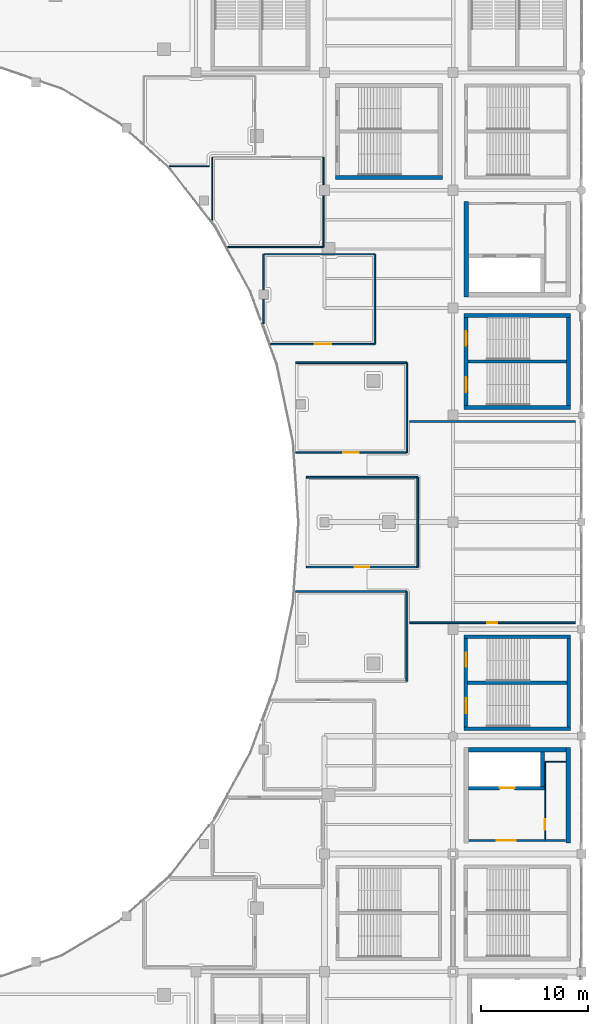
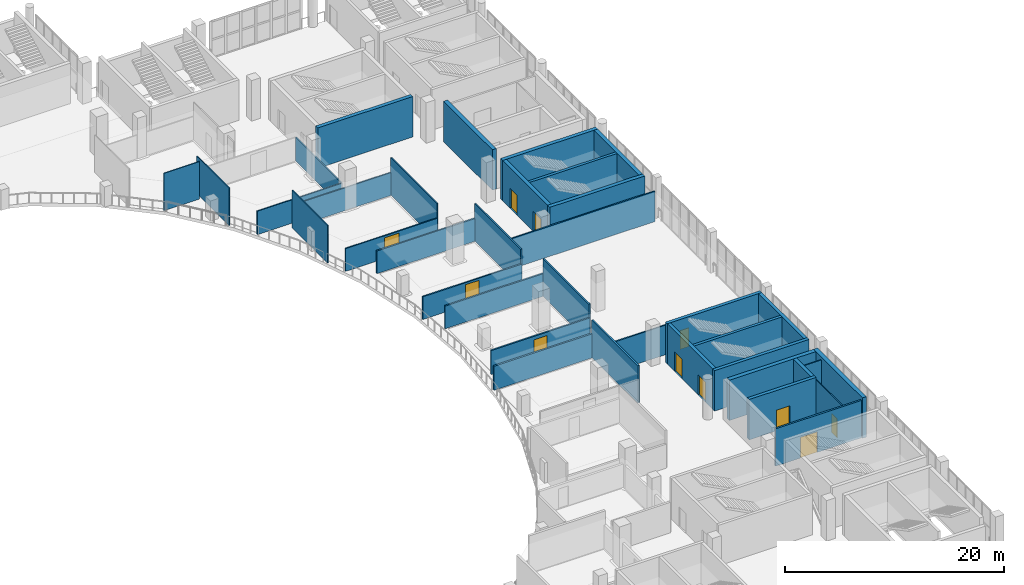
# One storey, part 67 of 90: 37 walls, 11 doors, 11 openings.
"""IFC4 building model written with IfcOpenShell, lengths in metres."""

from ifc_helpers import new_model, si_unit, direction, frame, frame_2d, origin, place, context, subcontext, project, spatial, rectangle, extrude, material, layer, layer_set, type_object, element, fill, save


model = new_model("IFC4")

# Units and contexts
model_context = context("Model", 3, precision=1e-05, world=origin(), true_north=direction((0.0, 1.0)))
body_context = subcontext(model_context, "Body", "Model", "MODEL_VIEW")
ifc_project = project(units=[si_unit("LENGTHUNIT", "METRE"), si_unit("AREAUNIT", "SQUARE_METRE"), si_unit("VOLUMEUNIT", "CUBIC_METRE"), si_unit("PLANEANGLEUNIT", "RADIAN"), si_unit("MASSUNIT", "GRAM", prefix="KILO")], contexts=[model_context])

# Site, building, storey
site_placement = place(None, origin())
site = spatial("IfcSite", under=ifc_project, at=site_placement, CompositionType="ELEMENT")
building_placement = place(site_placement, origin())
building = spatial("IfcBuilding", under=site, at=building_placement, Name="Brinegate Civic Arena", CompositionType="ELEMENT")
storey_placement = place(building_placement, frame((0.0, 0.0, 14.699951171875)))
storey = spatial("IfcBuildingStorey", under=building, at=storey_placement, Name="L03", CompositionType="ELEMENT", Elevation=14.699951171875)

# Walls
ifc_material_1 = material(Name="Concrete C50/60", Category="concrete")
ifc_layer_1 = layer(ifc_material_1, 0.35009765625, Name="Concrete C50/60")
ifc_layer_set_1 = layer_set([ifc_layer_1], Name="Concrete C50/60")
wall_type_1 = type_object("IfcWallType", Name="WALL-CORE-SHEAR-350", PredefinedType="SHEAR", material=ifc_layer_set_1)
for number, where, z_axis, x_axis, name in (
    (1, (157.02490234375, 42.699951171875, 0.0), (0.0, 0.0, 1.0), (1.0, 0.0, 0.0), "Stair ST-10 South Shear Wall L03 (WBD-69)"),
    (2, (157.02490234375, 51.300048828125, 0.0), (0.0, 0.0, 1.0), (1.0, 0.0, 0.0), "Stair ST-10 North Shear Wall L03 (WBD-70)"),
):
    element("IfcWall", number, at=place(storey_placement, frame(where, z_axis=z_axis, x_axis=x_axis)), inside=storey, type_object=wall_type_1, Name=name, PredefinedType="SHEAR", context=body_context, shape_type="SweptSolid", body=[
        extrude(rectangle(XDim=9.9501953125, YDim=0.35009765625, at=frame_2d((4.97509765625, 0.0))), origin(), (0.0, 0.0, 1.0), 4.5),
    ])

# Wall, openings, doors
wall_1_placement = place(storey_placement, frame((157.199951171875, 42.875, 0.0), z_axis=(0.0, 0.0, 1.0), x_axis=(0.0, 1.0, 0.0)))
wall_1 = element("IfcWall", 3, at=wall_1_placement, inside=storey, type_object=wall_type_1, Name="Stair ST-10 West Shear Wall L03 (WBD-71)", PredefinedType="SHEAR", context=body_context, shape_type="SweptSolid", body=[
    extrude(rectangle(XDim=8.25, YDim=0.35009765625, at=frame_2d((4.125, 0.0))), origin(), (0.0, 0.0, 1.0), 4.5),
])
opening_1_placement = place(wall_1_placement, frame((1.27490234375, 0.0, 0.0)))
opening_1 = element("IfcOpeningElement", 4, at=opening_1_placement, cuts=wall_1, Name="Opening D-ST10A-L03", PredefinedType="OPENING", context=body_context, shape_type="SweptSolid", body=[
    extrude(rectangle(XDim=1.39990234375, YDim=2.199951171875, at=frame_2d((0.699951171875, 1.10009765625))), frame((0.0, 0.18505859375, 0.0), z_axis=(0.0, -1.0, 0.0), x_axis=(1.0, 0.0, 0.0)), (0.0, 0.0, 1.0), 0.3701171875),
])
opening_2_placement = place(wall_1_placement, frame((5.614990234375, 0.0, 0.0)))
opening_2 = element("IfcOpeningElement", 5, at=opening_2_placement, cuts=wall_1, Name="Opening D-ST10B-L03", PredefinedType="OPENING", context=body_context, shape_type="SweptSolid", body=[
    extrude(rectangle(XDim=1.320068359375, YDim=2.199951171875, at=frame_2d((0.66015625, 1.10009765625))), frame((0.0, 0.18505859375, 0.0), z_axis=(0.0, -1.0, 0.0), x_axis=(1.0, 0.0, 0.0)), (0.0, 0.0, 1.0), 0.3701171875),
])
ifc_material_2 = material(Name="Galvanized hurricane steel", Category="steel")
door_type_1 = type_object("IfcDoorType", Name="DOOR-STAIR-2200X2200", OperationType="NOTDEFINED", PredefinedType="DOOR", material=ifc_material_2)
door_1_placement = place(opening_2_placement, origin())
door_1 = element("IfcDoor", 6, at=door_1_placement, inside=storey, type_object=door_type_1, Name="Protected Exit Stair Door D-ST10B-L03", OperationType="DOUBLE_DOOR_SINGLE_SWING", OverallHeight=2.199951171875, OverallWidth=1.320068359375, PredefinedType="DOOR", context=body_context, shape_type="SweptSolid", body=[
    extrude(rectangle(XDim=1.320068359375, YDim=2.199951171875, at=frame_2d((0.66015625, 1.10009765625))), frame((0.0, 0.02490234375, 0.0), z_axis=(0.0, -1.0, 0.0), x_axis=(1.0, 0.0, 0.0)), (0.0, 0.0, 1.0), 0.050048828125),
])
fill(opening_2, door_1)
door_type_2 = type_object("IfcDoorType", Name="DOOR-STAIR-2400X2200", OperationType="NOTDEFINED", PredefinedType="DOOR", material=ifc_material_2)
door_2_placement = place(opening_1_placement, origin())
door_2 = element("IfcDoor", 7, at=door_2_placement, inside=storey, type_object=door_type_2, Name="Protected Exit Stair Door D-ST10A-L03", OperationType="DOUBLE_DOOR_SINGLE_SWING", OverallHeight=2.199951171875, OverallWidth=1.39990234375, PredefinedType="DOOR", context=body_context, shape_type="SweptSolid", body=[
    extrude(rectangle(XDim=1.39990234375, YDim=2.199951171875, at=frame_2d((0.699951171875, 1.10009765625))), frame((0.0, 0.02490234375, 0.0), z_axis=(0.0, -1.0, 0.0), x_axis=(1.0, 0.0, 0.0)), (0.0, 0.0, 1.0), 0.050048828125),
])
fill(opening_1, door_2)

# Wall
wall_2_placement = place(storey_placement, frame((166.800048828125, 42.875, 0.0), z_axis=(0.0, 0.0, 1.0), x_axis=(0.0, 1.0, 0.0)))
element("IfcWall", 8, at=wall_2_placement, inside=storey, type_object=wall_type_1, Name="Stair ST-10 East Shear Wall L03 (WBD-72)", PredefinedType="SHEAR", context=body_context, shape_type="SweptSolid", body=[
    extrude(rectangle(XDim=8.25, YDim=0.35009765625, at=frame_2d((4.125, 0.0))), origin(), (0.0, 0.0, 1.0), 4.5),
])

# Wall, opening, door
wall_3_placement = place(storey_placement, frame((157.4599609375, 37.14990234375, 0.0), z_axis=(0.0, 0.0, 1.0), x_axis=(1.0, 0.0, 0.0)))
wall_3 = element("IfcWall", 9, at=wall_3_placement, inside=storey, type_object=wall_type_1, Name="Core K6 Lift Shaft Front Wall L03 (WBI-08)", PredefinedType="SHEAR", context=body_context, shape_type="SweptSolid", body=[
    extrude(rectangle(XDim=7.06494140625, YDim=0.35009765625, at=frame_2d((3.532470703125, 0.0))), origin(), (0.0, 0.0, 1.0), 4.5),
])
opening_3_placement = place(wall_3_placement, frame((2.889892578125, 0.0, 0.0)))
opening_3 = element("IfcOpeningElement", 10, at=opening_3_placement, cuts=wall_3, Name="Opening LD-GL2-L03", PredefinedType="OPENING", context=body_context, shape_type="SweptSolid", body=[
    extrude(rectangle(XDim=1.39990234375, YDim=2.300048828125, at=frame_2d((0.699951171875, 1.14990234375))), frame((0.0, 0.18505859375, 0.0), z_axis=(0.0, -1.0, 0.0), x_axis=(1.0, 0.0, 0.0)), (0.0, 0.0, 1.0), 0.3701171875),
])
ifc_material_3 = material(Name="Architectural stainless steel balustrade", Category="steel")
door_type_3 = type_object("IfcDoorType", Name="DOOR-LIFT-1400X2300", OperationType="SLIDING_TO_LEFT", PredefinedType="DOOR", material=ifc_material_3)
door_3_placement = place(opening_3_placement, origin())
door_3 = element("IfcDoor", 11, at=door_3_placement, inside=storey, type_object=door_type_3, Name="Sliding Lift Landing Door LD-GL2-L03", OperationType="SLIDING_TO_LEFT", OverallHeight=2.300048828125, OverallWidth=1.39990234375, PredefinedType="DOOR", context=body_context, shape_type="SweptSolid", body=[
    extrude(rectangle(XDim=1.39990234375, YDim=2.300048828125, at=frame_2d((0.699951171875, 1.14990234375))), frame((0.0, 0.02490234375, 0.0), z_axis=(0.0, -1.0, 0.0), x_axis=(1.0, 0.0, 0.0)), (0.0, 0.0, 1.0), 0.050048828125),
])
fill(opening_3, door_3)

# Walls
wall_4_placement = place(storey_placement, frame((164.35009765625, 37.324951171875, 0.0), z_axis=(0.0, 0.0, 1.0), x_axis=(0.0, 1.0, 0.0)))
element("IfcWall", 12, at=wall_4_placement, inside=storey, type_object=wall_type_1, Name="Core K6 Lift Shaft End Wall L03 (WBI-09)", PredefinedType="SHEAR", context=body_context, shape_type="SweptSolid", body=[
    extrude(rectangle(XDim=3.215087890625, YDim=0.35009765625, at=frame_2d((1.607421875, 0.0))), origin(), (0.0, 0.0, 1.0), 4.5),
])
ifc_layer_2 = layer(ifc_material_1, 0.389892578125, Name="Concrete C50/60")
ifc_layer_set_2 = layer_set([ifc_layer_2], Name="Concrete C50/60")
wall_type_2 = type_object("IfcWallType", Name="WALL-CORE-SHEAR-390", PredefinedType="SHEAR", material=ifc_layer_set_2)
for number, where, z_axis, x_axis, name in (
    (13, (157.0048828125, 72.699951171875, 0.0), (0.0, 0.0, 1.0), (1.0, 0.0, 0.0), "Stair ST-09 South Shear Wall L03 (WBD-44)"),
    (14, (157.0048828125, 81.300048828125, 0.0), (0.0, 0.0, 1.0), (1.0, 0.0, 0.0), "Stair ST-09 North Shear Wall L03 (WBD-45)"),
):
    element("IfcWall", number, at=place(storey_placement, frame(where, z_axis=z_axis, x_axis=x_axis)), inside=storey, type_object=wall_type_2, Name=name, PredefinedType="SHEAR", context=body_context, shape_type="SweptSolid", body=[
        extrude(rectangle(XDim=9.990234375, YDim=0.389892578125, at=frame_2d((4.9951171875, 0.0))), origin(), (0.0, 0.0, 1.0), 4.5),
    ])

# Wall, openings, doors
wall_5_placement = place(storey_placement, frame((157.199951171875, 72.89501953125, 0.0), z_axis=(0.0, 0.0, 1.0), x_axis=(0.0, 1.0, 0.0)))
wall_5 = element("IfcWall", 15, at=wall_5_placement, inside=storey, type_object=wall_type_2, Name="Stair ST-09 West Shear Wall L03 (WBD-46)", PredefinedType="SHEAR", context=body_context, shape_type="SweptSolid", body=[
    extrude(rectangle(XDim=8.2099609375, YDim=0.389892578125, at=frame_2d((4.10498046875, 0.0))), origin(), (0.0, 0.0, 1.0), 4.5),
])
opening_4_placement = place(wall_5_placement, frame((1.2548828125, 0.0, 0.0)))
opening_4 = element("IfcOpeningElement", 16, at=opening_4_placement, cuts=wall_5, Name="Opening D-ST09A-L03", PredefinedType="OPENING", context=body_context, shape_type="SweptSolid", body=[
    extrude(rectangle(XDim=1.39990234375, YDim=2.199951171875, at=frame_2d((0.699951171875, 1.10009765625))), frame((0.0, 0.204833984375, 0.0), z_axis=(0.0, -1.0, 0.0), x_axis=(1.0, 0.0, 0.0)), (0.0, 0.0, 1.0), 0.409912109375),
])
opening_5_placement = place(wall_5_placement, frame((5.594970703125, 0.0, 0.0)))
opening_5 = element("IfcOpeningElement", 17, at=opening_5_placement, cuts=wall_5, Name="Opening D-ST09B-L03", PredefinedType="OPENING", context=body_context, shape_type="SweptSolid", body=[
    extrude(rectangle(XDim=1.320068359375, YDim=2.199951171875, at=frame_2d((0.66015625, 1.10009765625))), frame((0.0, 0.204833984375, 0.0), z_axis=(0.0, -1.0, 0.0), x_axis=(1.0, 0.0, 0.0)), (0.0, 0.0, 1.0), 0.409912109375),
])
door_4_placement = place(opening_5_placement, origin())
door_4 = element("IfcDoor", 18, at=door_4_placement, inside=storey, type_object=door_type_1, Name="Protected Exit Stair Door D-ST09B-L03", OperationType="DOUBLE_DOOR_SINGLE_SWING", OverallHeight=2.199951171875, OverallWidth=1.320068359375, PredefinedType="DOOR", context=body_context, shape_type="SweptSolid", body=[
    extrude(rectangle(XDim=1.320068359375, YDim=2.199951171875, at=frame_2d((0.66015625, 1.10009765625))), frame((0.0, 0.02490234375, 0.0), z_axis=(0.0, -1.0, 0.0), x_axis=(1.0, 0.0, 0.0)), (0.0, 0.0, 1.0), 0.050048828125),
])
fill(opening_5, door_4)
door_5_placement = place(opening_4_placement, origin())
door_5 = element("IfcDoor", 19, at=door_5_placement, inside=storey, type_object=door_type_2, Name="Protected Exit Stair Door D-ST09A-L03", OperationType="DOUBLE_DOOR_SINGLE_SWING", OverallHeight=2.199951171875, OverallWidth=1.39990234375, PredefinedType="DOOR", context=body_context, shape_type="SweptSolid", body=[
    extrude(rectangle(XDim=1.39990234375, YDim=2.199951171875, at=frame_2d((0.699951171875, 1.10009765625))), frame((0.0, 0.02490234375, 0.0), z_axis=(0.0, -1.0, 0.0), x_axis=(1.0, 0.0, 0.0)), (0.0, 0.0, 1.0), 0.050048828125),
])
fill(opening_4, door_5)

# Walls
wall_6_placement = place(storey_placement, frame((166.800048828125, 72.89501953125, 0.0), z_axis=(0.0, 0.0, 1.0), x_axis=(0.0, 1.0, 0.0)))
element("IfcWall", 20, at=wall_6_placement, inside=storey, type_object=wall_type_2, Name="Stair ST-09 East Shear Wall L03 (WBD-47)", PredefinedType="SHEAR", context=body_context, shape_type="SweptSolid", body=[
    extrude(rectangle(XDim=8.2099609375, YDim=0.389892578125, at=frame_2d((4.10498046875, 0.0))), origin(), (0.0, 0.0, 1.0), 4.5),
])
wall_7_placement = place(storey_placement, frame((145.0048828125, 94.199951171875, 0.0), z_axis=(0.0, 0.0, 1.0), x_axis=(1.0, 0.0, 0.0)))
element("IfcWall", 21, at=wall_7_placement, inside=storey, type_object=wall_type_2, Name="Stair ST-18 South Shear Wall L03 (WBL-16)", PredefinedType="SHEAR", context=body_context, shape_type="SweptSolid", body=[
    extrude(rectangle(XDim=9.990234375, YDim=0.389892578125, at=frame_2d((4.9951171875, 0.0))), origin(), (0.0, 0.0, 1.0), 4.5),
])
ifc_layer_3 = layer(ifc_material_1, 0.419921875, Name="Concrete C50/60")
ifc_layer_set_3 = layer_set([ifc_layer_3], Name="Concrete C50/60")
wall_type_3 = type_object("IfcWallType", Name="WALL-CORE-SHEAR-420", PredefinedType="SHEAR", material=ifc_layer_set_3)
for number, where, z_axis, x_axis, name in (
    (22, (157.25, 83.0400390625, 0.0), (0.0, 0.0, 1.0), (0.0, 1.0, 0.0), "Core K5 West Shear Wall L03 (WBH-64)"),
    (23, (166.75, 32.0400390625, 0.0), (0.0, 0.0, 1.0), (0.0, 1.0, 0.0), "Core K6 East Shear Wall L03 (WBI-06)"),
):
    element("IfcWall", number, at=place(storey_placement, frame(where, z_axis=z_axis, x_axis=x_axis)), inside=storey, type_object=wall_type_3, Name=name, PredefinedType="SHEAR", context=body_context, shape_type="SweptSolid", body=[
        extrude(rectangle(XDim=8.919921875, YDim=0.419921875, at=frame_2d((4.4599609375, 0.0))), origin(), (0.0, 0.0, 1.0), 4.5),
    ])
wall_8_placement = place(storey_placement, frame((157.4599609375, 40.75, 0.0), z_axis=(0.0, 0.0, 1.0), x_axis=(1.0, 0.0, 0.0)))
element("IfcWall", 24, at=wall_8_placement, inside=storey, type_object=wall_type_3, Name="Core K6 North Shear Wall L03 (WBI-07)", PredefinedType="SHEAR", context=body_context, shape_type="SweptSolid", body=[
    extrude(rectangle(XDim=9.080078125, YDim=0.419921875, at=frame_2d((4.5400390625, 0.0))), origin(), (0.0, 0.0, 1.0), 4.5),
])
ifc_material_4 = material(Name="Fire-rated gypsum partition assembly")
ifc_layer_4 = layer(ifc_material_4, 0.1298828125, Name="Fire-rated gypsum partition assembly")
ifc_layer_set_4 = layer_set([ifc_layer_4], Name="Fire-rated gypsum partition assembly")
wall_type_4 = type_object("IfcWallType", Name="WALL-PART-ACOUSTIC-130", PredefinedType="PARTITIONING", material=ifc_layer_set_4)
wall_9_placement = place(storey_placement, frame((148.701904296875, 87.02294921875, 0.0), z_axis=(0.0, 0.0, 1.0), x_axis=(0.0, -1.0, 0.0)))
element("IfcWall", 25, at=wall_9_placement, inside=storey, type_object=wall_type_4, Name="Hospitality Suite L03-07 Partition Wall E1 (WBJ-64)", PredefinedType="PARTITIONING", context=body_context, shape_type="SweptSolid", body=[
    extrude(rectangle(XDim=8.39990234375, YDim=0.1298828125, at=frame_2d((4.199951171875, 0.0))), origin(), (0.0, 0.0, 1.0), 4.16015625),
])

# Wall, opening, door
wall_10_placement = place(storey_placement, frame((148.701904296875, 78.623046875, 0.0), z_axis=(0.0, 0.0, 1.0), x_axis=(-1.0, 0.0, 0.0)))
wall_10 = element("IfcWall", 26, at=wall_10_placement, inside=storey, type_object=wall_type_4, Name="Hospitality Suite L03-07 Partition Wall E2 (WBJ-65)", PredefinedType="PARTITIONING", context=body_context, shape_type="SweptSolid", body=[
    extrude(rectangle(XDim=9.704833984375, YDim=0.1298828125, at=frame_2d((4.8525390625, 0.0))), origin(), (0.0, 0.0, 1.0), 2.530029296875),
])
opening_6_placement = place(wall_10_placement, frame((4.077880859375, 0.0, 0.0)))
opening_6 = element("IfcOpeningElement", 27, at=opening_6_placement, cuts=wall_10, Name="Opening D-L03-198", PredefinedType="OPENING", context=body_context, shape_type="SweptSolid", body=[
    extrude(rectangle(XDim=1.550048828125, YDim=2.300048828125, at=frame_2d((0.77490234375, 1.14990234375))), frame((0.0, 0.074951171875, 0.0), z_axis=(0.0, -1.0, 0.0), x_axis=(1.0, 0.0, 0.0)), (0.0, 0.0, 1.0), 0.14990234375),
])
ifc_material_5 = material(Name="Hardwood acoustic timber door", Category="wood")
door_type_4 = type_object("IfcDoorType", Name="DOOR-SUITE-1550X2300", OperationType="NOTDEFINED", PredefinedType="DOOR", material=ifc_material_5)
door_6_placement = place(opening_6_placement, origin())
door_6 = element("IfcDoor", 28, at=door_6_placement, inside=storey, type_object=door_type_4, Name="Hospitality Suite L03-07 Door D-L03-198", OperationType="DOUBLE_DOOR_SINGLE_SWING", OverallHeight=2.300048828125, OverallWidth=1.550048828125, PredefinedType="DOOR", context=body_context, shape_type="SweptSolid", body=[
    extrude(rectangle(XDim=1.550048828125, YDim=2.300048828125, at=frame_2d((0.77490234375, 1.14990234375))), frame((0.0, 0.02490234375, 0.0), z_axis=(0.0, -1.0, 0.0), x_axis=(1.0, 0.0, 0.0)), (0.0, 0.0, 1.0), 0.050048828125),
])
fill(opening_6, door_6)

# Walls
wall_11_placement = place(storey_placement, frame((138.302001953125, 80.534912109375, 0.0), z_axis=(0.0, 0.0, 1.0), x_axis=(0.0, 1.0, 0.0)))
element("IfcWall", 29, at=wall_11_placement, inside=storey, type_object=wall_type_4, Name="Hospitality Suite L03-07 Partition Wall E4 (WBJ-66)", PredefinedType="PARTITIONING", context=body_context, shape_type="SweptSolid", body=[
    extrude(rectangle(XDim=6.488037109375, YDim=0.1298828125, at=frame_2d((3.244140625, 0.0))), origin(), (0.0, 0.0, 1.0), 4.16015625),
])
wall_12_placement = place(storey_placement, frame((138.302001953125, 87.02294921875, 0.0), z_axis=(0.0, 0.0, 1.0), x_axis=(1.0, 0.0, 0.0)))
element("IfcWall", 30, at=wall_12_placement, inside=storey, type_object=wall_type_4, Name="Hospitality Suite L03-07 Partition Wall E5 (WBJ-67)", PredefinedType="PARTITIONING", context=body_context, shape_type="SweptSolid", body=[
    extrude(rectangle(XDim=10.39990234375, YDim=0.1298828125, at=frame_2d((5.199951171875, 0.0))), origin(), (0.0, 0.0, 1.0), 2.530029296875),
])
ifc_layer_5 = layer(ifc_material_4, 0.159912109375, Name="Fire-rated gypsum partition assembly")
ifc_layer_set_5 = layer_set([ifc_layer_5], Name="Fire-rated gypsum partition assembly")
wall_type_5 = type_object("IfcWallType", Name="WALL-PART-RATED-160", PredefinedType="PARTITIONING", material=ifc_layer_set_5)
wall_13_placement = place(storey_placement, frame((152.699951171875, 66.199951171875, 0.0), z_axis=(0.0, 0.0, 1.0), x_axis=(0.0, -1.0, 0.0)))
element("IfcWall", 31, at=wall_13_placement, inside=storey, type_object=wall_type_5, Name="Hospitality Suite L03-05 Partition Wall E1 (WBJ-58)", PredefinedType="PARTITIONING", context=body_context, shape_type="SweptSolid", body=[
    extrude(rectangle(XDim=8.39990234375, YDim=0.159912109375, at=frame_2d((4.199951171875, 0.0))), origin(), (0.0, 0.0, 1.0), 4.16015625),
])

# Wall, opening, door
wall_14_placement = place(storey_placement, frame((152.699951171875, 57.800048828125, 0.0), z_axis=(0.0, 0.0, 1.0), x_axis=(-1.0, 0.0, 0.0)))
wall_14 = element("IfcWall", 32, at=wall_14_placement, inside=storey, type_object=wall_type_5, Name="Hospitality Suite L03-05 Partition Wall E2 (WBJ-59)", PredefinedType="PARTITIONING", context=body_context, shape_type="SweptSolid", body=[
    extrude(rectangle(XDim=10.39990234375, YDim=0.159912109375, at=frame_2d((5.199951171875, 0.0))), origin(), (0.0, 0.0, 1.0), 2.678955078125),
])
opening_7_placement = place(wall_14_placement, frame((4.52490234375, 0.0, 0.0)))
opening_7 = element("IfcOpeningElement", 33, at=opening_7_placement, cuts=wall_14, Name="Opening D-L03-196", PredefinedType="OPENING", context=body_context, shape_type="SweptSolid", body=[
    extrude(rectangle(XDim=1.35009765625, YDim=2.300048828125, at=frame_2d((0.675048828125, 1.14990234375))), frame((0.0, 0.08984375, 0.0), z_axis=(0.0, -1.0, 0.0), x_axis=(1.0, 0.0, 0.0)), (0.0, 0.0, 1.0), 0.179931640625),
])
door_type_5 = type_object("IfcDoorType", Name="DOOR-SUITE-1350X2300", OperationType="NOTDEFINED", PredefinedType="DOOR", material=ifc_material_5)
door_7_placement = place(opening_7_placement, origin())
door_7 = element("IfcDoor", 34, at=door_7_placement, inside=storey, type_object=door_type_5, Name="Hospitality Suite L03-05 Door D-L03-196", OperationType="SINGLE_SWING_RIGHT", OverallHeight=2.300048828125, OverallWidth=1.35009765625, PredefinedType="DOOR", context=body_context, shape_type="SweptSolid", body=[
    extrude(rectangle(XDim=1.35009765625, YDim=2.300048828125, at=frame_2d((0.675048828125, 1.14990234375))), frame((0.0, 0.02490234375, 0.0), z_axis=(0.0, -1.0, 0.0), x_axis=(1.0, 0.0, 0.0)), (0.0, 0.0, 1.0), 0.050048828125),
])
fill(opening_7, door_7)

# Walls
wall_15_placement = place(storey_placement, frame((142.300048828125, 66.199951171875, 0.0), z_axis=(0.0, 0.0, 1.0), x_axis=(1.0, 0.0, 0.0)))
element("IfcWall", 35, at=wall_15_placement, inside=storey, type_object=wall_type_5, Name="Hospitality Suite L03-05 Partition Wall E4 (WBJ-60)", PredefinedType="PARTITIONING", context=body_context, shape_type="SweptSolid", body=[
    extrude(rectangle(XDim=10.39990234375, YDim=0.159912109375, at=frame_2d((5.199951171875, 0.0))), origin(), (0.0, 0.0, 1.0), 2.530029296875),
])
ifc_layer_6 = layer(ifc_material_4, 0.175048828125, Name="Fire-rated gypsum partition assembly")
ifc_layer_set_6 = layer_set([ifc_layer_6], Name="Fire-rated gypsum partition assembly")
wall_type_6 = type_object("IfcWallType", Name="WALL-PART-RATED-175", PredefinedType="PARTITIONING", material=ifc_layer_set_6)
wall_16_placement = place(storey_placement, frame((151.68798828125, 55.514892578125, 0.0), z_axis=(0.0, 0.0, 1.0), x_axis=(0.0, -1.0, 0.0)))
element("IfcWall", 36, at=wall_16_placement, inside=storey, type_object=wall_type_6, Name="Hospitality Suite L03-04 Partition Wall E1 (WBJ-55)", PredefinedType="PARTITIONING", context=body_context, shape_type="SweptSolid", body=[
    extrude(rectangle(XDim=8.39990234375, YDim=0.175048828125, at=frame_2d((4.199951171875, 0.0))), origin(), (0.0, 0.0, 1.0), 4.16015625),
])
wall_17_placement = place(storey_placement, frame((141.2880859375, 55.514892578125, 0.0), z_axis=(0.0, 0.0, 1.0), x_axis=(1.0, 0.0, 0.0)))
element("IfcWall", 37, at=wall_17_placement, inside=storey, type_object=wall_type_6, Name="Hospitality Suite L03-04 Partition Wall E4 (WBJ-57)", PredefinedType="PARTITIONING", context=body_context, shape_type="SweptSolid", body=[
    extrude(rectangle(XDim=10.39990234375, YDim=0.175048828125, at=frame_2d((5.199951171875, 0.0))), origin(), (0.0, 0.0, 1.0), 2.678955078125),
])

# Wall, opening, door
ifc_material_6 = material(Name="Concrete blockwork masonry", Category="masonry")
ifc_layer_7 = layer(ifc_material_6, 0.18994140625, Name="Concrete blockwork masonry")
ifc_layer_set_7 = layer_set([ifc_layer_7], Name="Concrete blockwork masonry")
wall_type_7 = type_object("IfcWallType", Name="WALL-PART-RATED-190", PredefinedType="PARTITIONING", material=ifc_layer_set_7)
wall_18_placement = place(storey_placement, frame((157.469970703125, 32.25, 0.0), z_axis=(0.0, 0.0, 1.0), x_axis=(1.0, 0.0, 0.0)))
wall_18 = element("IfcWall", 38, at=wall_18_placement, inside=storey, type_object=wall_type_7, Name="Core K6 Concourse Lobby Wall L03 (WBI-10)", PredefinedType="PARTITIONING", context=body_context, shape_type="SweptSolid", body=[
    extrude(rectangle(XDim=9.06005859375, YDim=0.18994140625, at=frame_2d((4.530029296875, 0.0))), origin(), (0.0, 0.0, 1.0), 4.16015625),
])
opening_8_placement = place(wall_18_placement, frame((2.60009765625, 0.0, 0.0)))
opening_8 = element("IfcOpeningElement", 39, at=opening_8_placement, cuts=wall_18, Name="Opening D-K6L-L03", PredefinedType="OPENING", context=body_context, shape_type="SweptSolid", body=[
    extrude(rectangle(XDim=1.800048828125, YDim=2.300048828125, at=frame_2d((0.89990234375, 1.14990234375))), frame((0.0, 0.10498046875, 0.0), z_axis=(0.0, -1.0, 0.0), x_axis=(1.0, 0.0, 0.0)), (0.0, 0.0, 1.0), 0.2099609375),
])
ifc_material_7 = material(Name="Marine grade aluminium", Category="aluminium")
door_type_6 = type_object("IfcDoorType", Name="DOOR-CONC-1800X2300", OperationType="NOTDEFINED", PredefinedType="DOOR", material=ifc_material_7)
door_8_placement = place(opening_8_placement, origin())
door_8 = element("IfcDoor", 40, at=door_8_placement, inside=storey, type_object=door_type_6, Name="Lift Lobby Door D-K6L-L03", OperationType="DOUBLE_DOOR_SINGLE_SWING", OverallHeight=2.300048828125, OverallWidth=1.800048828125, PredefinedType="DOOR", context=body_context, shape_type="SweptSolid", body=[
    extrude(rectangle(XDim=1.800048828125, YDim=2.300048828125, at=frame_2d((0.89990234375, 1.14990234375))), frame((0.0, 0.02490234375, 0.0), z_axis=(0.0, -1.0, 0.0), x_axis=(1.0, 0.0, 0.0)), (0.0, 0.0, 1.0), 0.050048828125),
])
fill(opening_8, door_8)

# Walls
ifc_layer_8 = layer(ifc_material_4, 0.114990234375, Name="Fire-rated gypsum partition assembly")
ifc_layer_set_8 = layer_set([ifc_layer_8], Name="Fire-rated gypsum partition assembly")
wall_type_8 = type_object("IfcWallType", Name="WALL-PART-STD-115", PredefinedType="PARTITIONING", material=ifc_layer_set_8)
wall_19_placement = place(storey_placement, frame((143.89697265625, 96.093017578125, 0.0), z_axis=(0.0, 0.0, 1.0), x_axis=(0.0, -1.0, 0.0)))
element("IfcWall", 41, at=wall_19_placement, inside=storey, type_object=wall_type_8, Name="Hospitality Suite L03-08 Partition Wall E1 (WBJ-68)", PredefinedType="PARTITIONING", context=body_context, shape_type="SweptSolid", body=[
    extrude(rectangle(XDim=8.39990234375, YDim=0.114990234375, at=frame_2d((4.199951171875, 0.0))), origin(), (0.0, 0.0, 1.0), 2.60302734375),
])
wall_20_placement = place(storey_placement, frame((143.89697265625, 87.693115234375, 0.0), z_axis=(0.0, 0.0, 1.0), x_axis=(-1.0, 0.0, 0.0)))
element("IfcWall", 42, at=wall_20_placement, inside=storey, type_object=wall_type_8, Name="Hospitality Suite L03-08 Partition Wall E2 (WBJ-69)", PredefinedType="PARTITIONING", context=body_context, shape_type="SweptSolid", body=[
    extrude(rectangle(XDim=8.945068359375, YDim=0.114990234375, at=frame_2d((4.47265625, 0.0))), origin(), (0.0, 0.0, 1.0), 2.60302734375),
])
wall_21_placement = place(storey_placement, frame((133.4970703125, 90.177001953125, 0.0), z_axis=(0.0, 0.0, 1.0), x_axis=(0.0, 1.0, 0.0)))
element("IfcWall", 43, at=wall_21_placement, inside=storey, type_object=wall_type_8, Name="Hospitality Suite L03-08 Partition Wall E6 (WBJ-70)", PredefinedType="PARTITIONING", context=body_context, shape_type="SweptSolid", body=[
    extrude(rectangle(XDim=5.916015625, YDim=0.114990234375, at=frame_2d((2.9580078125, 0.0))), origin(), (0.0, 0.0, 1.0), 4.16015625),
])
ifc_layer_9 = layer(ifc_material_4, 0.14501953125, Name="Fire-rated gypsum partition assembly")
ifc_layer_set_9 = layer_set([ifc_layer_9], Name="Fire-rated gypsum partition assembly")
wall_type_9 = type_object("IfcWallType", Name="WALL-PART-SUITE-145", PredefinedType="PARTITIONING", material=ifc_layer_set_9)
wall_22_placement = place(storey_placement, frame((151.68798828125, 76.885009765625, 0.0), z_axis=(0.0, 0.0, 1.0), x_axis=(0.0, -1.0, 0.0)))
element("IfcWall", 44, at=wall_22_placement, inside=storey, type_object=wall_type_9, Name="Hospitality Suite L03-06 Partition Wall E1 (WBJ-61)", PredefinedType="PARTITIONING", context=body_context, shape_type="SweptSolid", body=[
    extrude(rectangle(XDim=8.39990234375, YDim=0.14501953125, at=frame_2d((4.199951171875, 0.0))), origin(), (0.0, 0.0, 1.0), 4.16015625),
])

# Wall, opening, door
wall_23_placement = place(storey_placement, frame((151.68798828125, 68.485107421875, 0.0), z_axis=(0.0, 0.0, 1.0), x_axis=(-1.0, 0.0, 0.0)))
wall_23 = element("IfcWall", 45, at=wall_23_placement, inside=storey, type_object=wall_type_9, Name="Hospitality Suite L03-06 Partition Wall E2 (WBJ-62)", PredefinedType="PARTITIONING", context=body_context, shape_type="SweptSolid", body=[
    extrude(rectangle(XDim=10.39990234375, YDim=0.14501953125, at=frame_2d((5.199951171875, 0.0))), origin(), (0.0, 0.0, 1.0), 2.530029296875),
])
opening_9_placement = place(wall_23_placement, frame((4.47509765625, 0.0, 0.0)))
opening_9 = element("IfcOpeningElement", 46, at=opening_9_placement, cuts=wall_23, Name="Opening D-L03-197", PredefinedType="OPENING", context=body_context, shape_type="SweptSolid", body=[
    extrude(rectangle(XDim=1.449951171875, YDim=2.300048828125, at=frame_2d((0.72509765625, 1.14990234375))), frame((0.0, 0.08251953125, 0.0), z_axis=(0.0, -1.0, 0.0), x_axis=(1.0, 0.0, 0.0)), (0.0, 0.0, 1.0), 0.1650390625),
])
door_type_7 = type_object("IfcDoorType", Name="DOOR-SUITE-1450X2300", OperationType="NOTDEFINED", PredefinedType="DOOR", material=ifc_material_5)
door_9_placement = place(opening_9_placement, origin())
door_9 = element("IfcDoor", 47, at=door_9_placement, inside=storey, type_object=door_type_7, Name="Hospitality Suite L03-06 Door D-L03-197", OperationType="SINGLE_SWING_LEFT", OverallHeight=2.300048828125, OverallWidth=1.449951171875, PredefinedType="DOOR", context=body_context, shape_type="SweptSolid", body=[
    extrude(rectangle(XDim=1.449951171875, YDim=2.300048828125, at=frame_2d((0.72509765625, 1.14990234375))), frame((0.0, 0.02490234375, 0.0), z_axis=(0.0, -1.0, 0.0), x_axis=(1.0, 0.0, 0.0)), (0.0, 0.0, 1.0), 0.050048828125),
])
fill(opening_9, door_9)

# Wall
wall_24_placement = place(storey_placement, frame((141.2880859375, 76.885009765625, 0.0), z_axis=(0.0, 0.0, 1.0), x_axis=(1.0, 0.0, 0.0)))
element("IfcWall", 48, at=wall_24_placement, inside=storey, type_object=wall_type_9, Name="Hospitality Suite L03-06 Partition Wall E4 (WBJ-63)", PredefinedType="PARTITIONING", context=body_context, shape_type="SweptSolid", body=[
    extrude(rectangle(XDim=10.39990234375, YDim=0.14501953125, at=frame_2d((5.199951171875, 0.0))), origin(), (0.0, 0.0, 1.0), 2.530029296875),
])

# Wall, opening, door
wall_25_placement = place(storey_placement, frame((167.39990234375, 52.60009765625, 0.0), z_axis=(0.0, 0.0, 1.0), x_axis=(-1.0, 0.0, 0.0)))
wall_25 = element("IfcWall", 49, at=wall_25_placement, inside=storey, type_object=wall_type_9, Name="East Suite Founders Dining Salon Partition Wall E2 (WBK-28)", PredefinedType="PARTITIONING", context=body_context, shape_type="SweptSolid", body=[
    extrude(rectangle(XDim=15.4619140625, YDim=0.14501953125, at=frame_2d((7.73095703125, 0.0))), origin(), (0.0, 0.0, 1.0), 3.2890625),
])
opening_10_placement = place(wall_25_placement, frame((7.281005859375, 0.0, 0.0)))
opening_10 = element("IfcOpeningElement", 50, at=opening_10_placement, cuts=wall_25, Name="Opening D-L03-215", PredefinedType="OPENING", context=body_context, shape_type="SweptSolid", body=[
    extrude(rectangle(XDim=0.89990234375, YDim=2.10009765625, at=frame_2d((0.449951171875, 1.050048828125))), frame((0.0, 0.08251953125, 0.0), z_axis=(0.0, -1.0, 0.0), x_axis=(1.0, 0.0, 0.0)), (0.0, 0.0, 1.0), 0.1650390625),
])
door_type_8 = type_object("IfcDoorType", Name="DOOR-WC-900X2100", OperationType="NOTDEFINED", PredefinedType="DOOR", material=ifc_material_5)
door_10_placement = place(opening_10_placement, origin())
door_10 = element("IfcDoor", 51, at=door_10_placement, inside=storey, type_object=door_type_8, Name="East Suite Founders Dining Salon Door D-L03-215", OperationType="SINGLE_SWING_RIGHT", OverallHeight=2.10009765625, OverallWidth=0.89990234375, PredefinedType="DOOR", context=body_context, shape_type="SweptSolid", body=[
    extrude(rectangle(XDim=0.89990234375, YDim=2.10009765625, at=frame_2d((0.449951171875, 1.050048828125))), frame((0.0, 0.02490234375, 0.0), z_axis=(0.0, -1.0, 0.0), x_axis=(1.0, 0.0, 0.0)), (0.0, 0.0, 1.0), 0.050048828125),
])
fill(opening_10, door_10)

# Wall
wall_26_placement = place(storey_placement, frame((151.93798828125, 71.39990234375, 0.0), z_axis=(0.0, 0.0, 1.0), x_axis=(1.0, 0.0, 0.0)))
element("IfcWall", 52, at=wall_26_placement, inside=storey, type_object=wall_type_9, Name="East Suite Founders Dining Salon Partition Wall E48 (WBK-29)", PredefinedType="PARTITIONING", context=body_context, shape_type="SweptSolid", body=[
    extrude(rectangle(XDim=15.4619140625, YDim=0.14501953125, at=frame_2d((7.73095703125, 0.0))), origin(), (0.0, 0.0, 1.0), 3.3701171875),
])

# Wall, opening, door
ifc_layer_10 = layer(ifc_material_6, 0.10009765625, Name="Concrete blockwork masonry")
ifc_layer_set_10 = layer_set([ifc_layer_10], Name="Concrete blockwork masonry")
wall_type_10 = type_object("IfcWallType", Name="WALL-PART-WET-100", PredefinedType="PARTITIONING", material=ifc_layer_set_10)
wall_27_placement = place(storey_placement, frame((164.60009765625, 32.35009765625, 0.0), z_axis=(0.0, 0.0, 1.0), x_axis=(0.0, 1.0, 0.0)))
wall_27 = element("IfcWall", 53, at=wall_27_placement, inside=storey, type_object=wall_type_10, Name="Accessible WC K6 Partition L03 (WBI-11)", PredefinedType="PARTITIONING", context=body_context, shape_type="SweptSolid", body=[
    extrude(rectangle(XDim=7.25, YDim=0.10009765625, at=frame_2d((3.625, 0.0))), origin(), (0.0, 0.0, 1.0), 4.16015625),
])
opening_11_placement = place(wall_27_placement, frame((0.89990234375, 0.0, 0.0)))
opening_11 = element("IfcOpeningElement", 54, at=opening_11_placement, cuts=wall_27, Name="Opening D-K6W-L03", PredefinedType="OPENING", context=body_context, shape_type="SweptSolid", body=[
    extrude(rectangle(XDim=1.0, YDim=2.10009765625, at=frame_2d((0.5, 1.050048828125))), frame((0.0, 0.06005859375, 0.0), z_axis=(0.0, -1.0, 0.0), x_axis=(1.0, 0.0, 0.0)), (0.0, 0.0, 1.0), 0.1201171875),
])
door_type_9 = type_object("IfcDoorType", Name="DOOR-AWC-1000X2100", OperationType="NOTDEFINED", PredefinedType="DOOR", material=ifc_material_5)
door_11_placement = place(opening_11_placement, origin())
door_11 = element("IfcDoor", 55, at=door_11_placement, inside=storey, type_object=door_type_9, Name="Accessible WC Door D-K6W-L03", OperationType="SINGLE_SWING_RIGHT", OverallHeight=2.10009765625, OverallWidth=1.0, PredefinedType="DOOR", context=body_context, shape_type="SweptSolid", body=[
    extrude(rectangle(XDim=1.0, YDim=2.10009765625, at=frame_2d((0.5, 1.050048828125))), frame((0.0, 0.02490234375, 0.0), z_axis=(0.0, -1.0, 0.0), x_axis=(1.0, 0.0, 0.0)), (0.0, 0.0, 1.0), 0.050048828125),
])
fill(opening_11, door_11)

# Walls
wall_28_placement = place(storey_placement, frame((164.60009765625, 39.60009765625, 0.0), z_axis=(0.0, 0.0, 1.0), x_axis=(1.0, 0.0, 0.0)))
element("IfcWall", 56, at=wall_28_placement, inside=storey, type_object=wall_type_10, Name="Accessible WC K6 Back Partition L03 (WBI-12)", PredefinedType="PARTITIONING", context=body_context, shape_type="SweptSolid", body=[
    extrude(rectangle(XDim=2.0, YDim=0.10009765625, at=frame_2d((1.0, 0.0))), origin(), (0.0, 0.0, 1.0), 4.16015625),
])
wall_29_placement = place(storey_placement, frame((133.2470703125, 95.23095703125, 0.0), z_axis=(0.0, 0.0, 1.0), x_axis=(-1.0, 0.0, 0.0)))
element("IfcWall", 57, at=wall_29_placement, inside=storey, type_object=wall_type_10, Name="Hospitality Suite L03-09 Partition Wall E13 (WBJ-73)", PredefinedType="PARTITIONING", context=body_context, shape_type="SweptSolid", body=[
    extrude(rectangle(XDim=3.739013671875, YDim=0.10009765625, at=frame_2d((1.86962890625, 0.0))), origin(), (0.0, 0.0, 1.0), 4.16015625),
])
ifc_layer_11 = layer(ifc_material_1, 0.2900390625, Name="Concrete C50/60")
ifc_layer_set_11 = layer_set([ifc_layer_11], Name="Concrete C50/60")
wall_type_11 = type_object("IfcWallType", Name="WALL-STAIR-SHEAR-290", PredefinedType="SHEAR", material=ifc_layer_set_11)
wall_30_placement = place(storey_placement, frame((157.39501953125, 77.0, 0.0), z_axis=(0.0, 0.0, 1.0), x_axis=(1.0, 0.0, 0.0)))
element("IfcWall", 58, at=wall_30_placement, inside=storey, type_object=wall_type_11, Name="Stair ST-09 Central Dividing Shear Wall L03 (WBD-48)", PredefinedType="SHEAR", context=body_context, shape_type="SweptSolid", body=[
    extrude(rectangle(XDim=9.2099609375, YDim=0.2900390625, at=frame_2d((4.60498046875, 0.0))), origin(), (0.0, 0.0, 1.0), 4.5),
])
wall_31_placement = place(storey_placement, frame((157.375, 47.0, 0.0), z_axis=(0.0, 0.0, 1.0), x_axis=(1.0, 0.0, 0.0)))
element("IfcWall", 59, at=wall_31_placement, inside=storey, type_object=wall_type_11, Name="Stair ST-10 Central Dividing Shear Wall L03 (WBD-73)", PredefinedType="SHEAR", context=body_context, shape_type="SweptSolid", body=[
    extrude(rectangle(XDim=9.25, YDim=0.2900390625, at=frame_2d((4.625, 0.0))), origin(), (0.0, 0.0, 1.0), 4.5),
])

save(model, "model.ifc")
